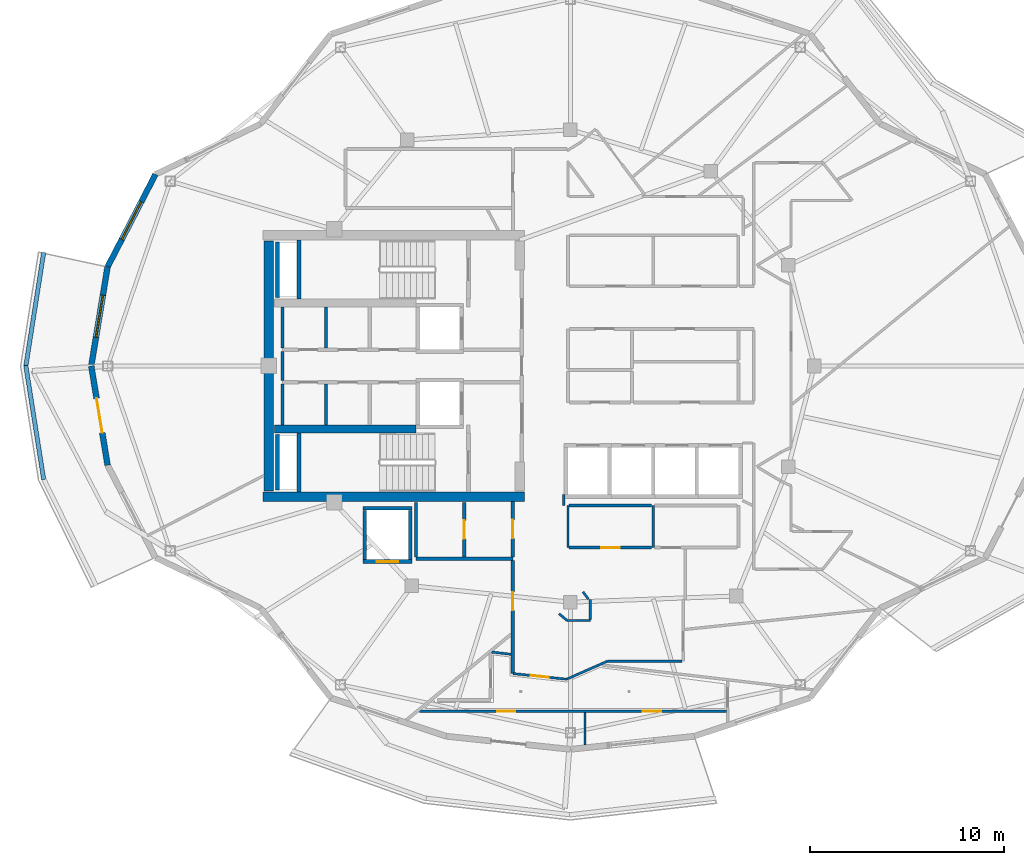
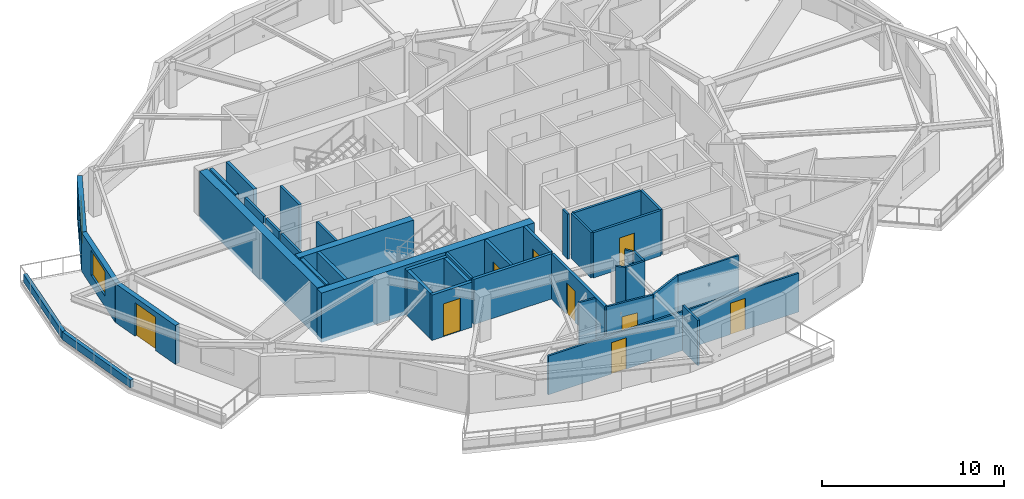
# One storey, part 3 of 14: 41 walls, 9 doors, 2 windows, 11 openings.
"""IFC4 building model written with IfcOpenShell, lengths in metres."""

from ifc_helpers import new_model, si_unit, direction, frame, frame_2d, origin, place, context, subcontext, project, spatial, rectangle, extrude, material, layer, layer_set, type_object, element, fill, save


model = new_model("IFC4")

# Units and contexts
model_context = context("Model", 3, precision=1e-05, world=origin(), true_north=direction((0.0, 1.0)))
body_context = subcontext(model_context, "Body", "Model", "MODEL_VIEW")
ifc_project = project(units=[si_unit("LENGTHUNIT", "METRE"), si_unit("AREAUNIT", "SQUARE_METRE"), si_unit("VOLUMEUNIT", "CUBIC_METRE"), si_unit("PLANEANGLEUNIT", "RADIAN"), si_unit("MASSUNIT", "GRAM", prefix="KILO")], contexts=[model_context])

# Site, building, storey
site_placement = place(None, origin())
site = spatial("IfcSite", under=ifc_project, at=site_placement, CompositionType="ELEMENT")
building_placement = place(site_placement, origin())
building = spatial("IfcBuilding", under=site, at=building_placement, Name="Kolvaren Gate Tower and Convention Centre", CompositionType="ELEMENT")
storey_placement = place(building_placement, frame((0.0, 0.0, 216.199951171875)))
storey = spatial("IfcBuildingStorey", under=building, at=storey_placement, Name="L57", CompositionType="ELEMENT", Elevation=216.199951171875)

# Wall
ifc_material_1 = material(Name="Autoclaved Aerated Masonry Blockwork Class 4 (4.0 MPa)", Category="masonry")
ifc_layer_1 = layer(ifc_material_1, 0.179931640625)
ifc_layer_set_1 = layer_set([ifc_layer_1], Name="Autoclaved Aerated Masonry Blockwork Class 4 (4.0 MPa)")
wall_type_1 = type_object("IfcWallType", Name="ARCH-WL-COMP-180", PredefinedType="SOLIDWALL", material=ifc_layer_set_1)
wall_1_placement = place(storey_placement, frame((22.14990234375, 17.050048828125, 0.0), z_axis=(0.0, 0.0, 1.0), x_axis=(1.0, 0.0, 0.0)))
element("IfcWall", 1, at=wall_1_placement, inside=storey, type_object=wall_type_1, Name="Interior Partition WL-L57-INT-011", PredefinedType="SOLIDWALL", context=body_context, shape_type="SweptSolid", body=[
    extrude(rectangle(XDim=5.0, YDim=0.179931640625, at=frame_2d((2.5, 0.0))), origin(), (0.0, 0.0, 1.0), 3.030029296875),
])

# Wall, opening, door
wall_2_placement = place(storey_placement, frame((24.64990234375, 17.14208984375, 0.0), z_axis=(0.0, 0.0, 1.0), x_axis=(0.0, 1.0, 0.0)))
wall_2 = element("IfcWall", 2, at=wall_2_placement, inside=storey, type_object=wall_type_1, Name="Interior Partition WL-L57-INT-013", PredefinedType="SOLIDWALL", context=body_context, shape_type="SweptSolid", body=[
    extrude(rectangle(XDim=2.807861328125, YDim=0.179931640625, at=frame_2d((1.40380859375, 0.0))), origin(), (0.0, 0.0, 1.0), 3.030029296875),
])
opening_1_placement = place(wall_2_placement, frame((0.928955078125, 0.0, 0.0)))
opening_1 = element("IfcOpeningElement", 3, at=opening_1_placement, cuts=wall_2, Name="Opening DR-01", PredefinedType="OPENING", context=body_context, shape_type="SweptSolid", body=[
    extrude(rectangle(XDim=0.949951171875, YDim=2.10009765625, at=frame_2d((0.47509765625, 1.050048828125))), frame((0.0, 0.099853515625, 0.0), z_axis=(0.0, -1.0, 0.0), x_axis=(1.0, 0.0, 0.0)), (0.0, 0.0, 1.0), 0.199951171875),
])
ifc_material_2 = material(Name="Painted Architectural Steelwork ASTM A500 Grade C 345 MPa", Category="steel")
door_type_1 = type_object("IfcDoorType", Name="ARCH-DR-RISER-950", OperationType="SINGLE_SWING_RIGHT", PredefinedType="DOOR", material=ifc_material_2)
door_1_placement = place(opening_1_placement, origin())
door_1 = element("IfcDoor", 4, at=door_1_placement, inside=storey, type_object=door_type_1, Name="West Valet Store Door", OperationType="SINGLE_SWING_RIGHT", OverallHeight=2.10009765625, OverallWidth=0.949951171875, PredefinedType="DOOR", context=body_context, shape_type="SweptSolid", body=[
    extrude(rectangle(XDim=0.949951171875, YDim=2.10009765625, at=frame_2d((0.47509765625, 1.050048828125))), frame((0.0, 0.02490234375, 0.0), z_axis=(0.0, -1.0, 0.0), x_axis=(1.0, 0.0, 0.0)), (0.0, 0.0, 1.0), 0.050048828125),
])
fill(opening_1, door_1)

wall_3_placement = place(storey_placement, frame((27.14990234375, 11.113037109375, 0.0), z_axis=(0.0, 0.0, 1.0), x_axis=(0.0, 1.0, 0.0)))
wall_3 = element("IfcWall", 5, at=wall_3_placement, inside=storey, type_object=wall_type_1, Name="Interior Partition WL-L57-INT-014", PredefinedType="SOLIDWALL", context=body_context, shape_type="SweptSolid", body=[
    extrude(rectangle(XDim=5.844970703125, YDim=0.179931640625, at=frame_2d((2.92236328125, 0.0))), origin(), (0.0, 0.0, 1.0), 3.030029296875),
])
opening_2_placement = place(wall_3_placement, frame((3.25830078125, 0.0, 0.0)))
opening_2 = element("IfcOpeningElement", 6, at=opening_2_placement, cuts=wall_3, Name="Opening DR-01", PredefinedType="OPENING", context=body_context, shape_type="SweptSolid", body=[
    extrude(rectangle(XDim=0.949951171875, YDim=2.10009765625, at=frame_2d((0.47509765625, 1.050048828125))), frame((0.0, 0.099853515625, 0.0), z_axis=(0.0, -1.0, 0.0), x_axis=(1.0, 0.0, 0.0)), (0.0, 0.0, 1.0), 0.199951171875),
])
door_2_placement = place(opening_2_placement, origin())
door_2 = element("IfcDoor", 7, at=door_2_placement, inside=storey, type_object=door_type_1, Name="Resident Private Study and Home Office Door", OperationType="SINGLE_SWING_LEFT", OverallHeight=2.10009765625, OverallWidth=0.949951171875, PredefinedType="DOOR", context=body_context, shape_type="SweptSolid", body=[
    extrude(rectangle(XDim=0.949951171875, YDim=2.10009765625, at=frame_2d((0.47509765625, 1.050048828125))), frame((0.0, 0.02490234375, 0.0), z_axis=(0.0, -1.0, 0.0), x_axis=(1.0, 0.0, 0.0)), (0.0, 0.0, 1.0), 0.050048828125),
])
fill(opening_2, door_2)

wall_4_placement = place(storey_placement, frame((27.14990234375, 17.14208984375, 0.0), z_axis=(0.0, 0.0, 1.0), x_axis=(0.0, 1.0, 0.0)))
wall_4 = element("IfcWall", 8, at=wall_4_placement, inside=storey, type_object=wall_type_1, Name="Interior Partition WL-L57-INT-014 (2)", PredefinedType="SOLIDWALL", context=body_context, shape_type="SweptSolid", body=[
    extrude(rectangle(XDim=2.85595703125, YDim=0.179931640625, at=frame_2d((1.427978515625, 0.0))), origin(), (0.0, 0.0, 1.0), 3.030029296875),
])
opening_3_placement = place(wall_4_placement, frame((0.952880859375, 0.0, 0.0)))
opening_3 = element("IfcOpeningElement", 9, at=opening_3_placement, cuts=wall_4, Name="Opening DR-01", PredefinedType="OPENING", context=body_context, shape_type="SweptSolid", body=[
    extrude(rectangle(XDim=0.949951171875, YDim=2.10009765625, at=frame_2d((0.47509765625, 1.050048828125))), frame((0.0, 0.099853515625, 0.0), z_axis=(0.0, -1.0, 0.0), x_axis=(1.0, 0.0, 0.0)), (0.0, 0.0, 1.0), 0.199951171875),
])
door_3_placement = place(opening_3_placement, origin())
door_3 = element("IfcDoor", 10, at=door_3_placement, inside=storey, type_object=door_type_1, Name="Metering Switch Room Door", OperationType="SINGLE_SWING_LEFT", OverallHeight=2.10009765625, OverallWidth=0.949951171875, PredefinedType="DOOR", context=body_context, shape_type="SweptSolid", body=[
    extrude(rectangle(XDim=0.949951171875, YDim=2.10009765625, at=frame_2d((0.47509765625, 1.050048828125))), frame((0.0, 0.02490234375, 0.0), z_axis=(0.0, -1.0, 0.0), x_axis=(1.0, 0.0, 0.0)), (0.0, 0.0, 1.0), 0.050048828125),
])
fill(opening_3, door_3)

# Walls
ifc_material_3 = material(Name="Fire-Rated Acoustic Gypsum Stud Partition", Category="gypsum")
ifc_layer_2 = layer(ifc_material_3, 0.1201171875)
ifc_layer_set_2 = layer_set([ifc_layer_2], Name="Fire-Rated Acoustic Gypsum Stud Partition")
wall_type_2 = type_object("IfcWallType", Name="ARCH-WL-PART-120", PredefinedType="PARTITIONING", material=ifc_layer_set_2)
wall_5_placement = place(storey_placement, frame((30.0, 17.6201171875, 0.0), z_axis=(0.0, 0.0, 1.0), x_axis=(0.0, 1.0, 0.0)))
element("IfcWall", 11, at=wall_5_placement, inside=storey, type_object=wall_type_2, Name="Interior Partition WL-L57-INT-017", PredefinedType="PARTITIONING", context=body_context, shape_type="SweptSolid", body=[
    extrude(rectangle(XDim=2.179931640625, YDim=0.1201171875, at=frame_2d((1.08984375, 0.0))), origin(), (0.0, 0.0, 1.0), 3.030029296875),
])
wall_6_placement = place(storey_placement, frame((29.780029296875, 19.800048828125, 0.0), z_axis=(0.0, 0.0, 1.0), x_axis=(0.0, 1.0, 0.0)))
element("IfcWall", 12, at=wall_6_placement, inside=storey, type_object=wall_type_2, Name="Interior Partition WL-L57-INT-064", PredefinedType="PARTITIONING", context=body_context, shape_type="SweptSolid", body=[
    extrude(rectangle(XDim=0.56005859375, YDim=0.1201171875, at=frame_2d((0.280029296875, 0.0))), origin(), (0.0, 0.0, 1.0), 3.030029296875),
])
wall_7_placement = place(storey_placement, frame((32.033935546875, 11.75, 0.0), z_axis=(0.0, 0.0, 1.0), x_axis=(1.0, 0.0, 0.0)))
element("IfcWall", 13, at=wall_7_placement, inside=storey, type_object=wall_type_2, Name="Interior Partition WL-L57-INT-067", PredefinedType="PARTITIONING", context=body_context, shape_type="SweptSolid", body=[
    extrude(rectangle(XDim=3.85400390625, YDim=0.1201171875, at=frame_2d((1.927001953125, 0.0))), origin(), (0.0, 0.0, 1.0), 3.030029296875),
])
wall_8_placement = place(storey_placement, frame((29.925048828125, 10.821044921875, 0.0), z_axis=(0.0, 0.0, 1.0), x_axis=(0.915147800009, 0.403118474072, 0.0)))
element("IfcWall", 14, at=wall_8_placement, inside=storey, type_object=wall_type_2, Name="Interior Partition WL-L57-INT-068", PredefinedType="PARTITIONING", context=body_context, shape_type="SweptSolid", body=[
    extrude(rectangle(XDim=2.304443359375, YDim=0.1201171875, at=frame_2d((1.15234375, 0.0))), origin(), (0.0, 0.0, 1.0), 3.030029296875),
])

# Wall, opening, door
wall_9_placement = place(storey_placement, frame((27.14990234375, 11.113037109375, 0.0), z_axis=(0.0, 0.0, 1.0), x_axis=(0.994510245906, -0.104639241146, 0.0)))
wall_9 = element("IfcWall", 15, at=wall_9_placement, inside=storey, type_object=wall_type_2, Name="Interior Partition WL-L57-INT-069", PredefinedType="PARTITIONING", context=body_context, shape_type="SweptSolid", body=[
    extrude(rectangle(XDim=2.79052734375, YDim=0.1201171875, at=frame_2d((1.395263671875, 0.0))), origin(), (0.0, 0.0, 1.0), 3.030029296875),
])
opening_4_placement = place(wall_9_placement, frame((0.920166015625, 0.0, 0.0)))
opening_4 = element("IfcOpeningElement", 16, at=opening_4_placement, cuts=wall_9, Name="Opening DR-01", PredefinedType="OPENING", context=body_context, shape_type="SweptSolid", body=[
    extrude(rectangle(XDim=0.949951171875, YDim=2.10009765625, at=frame_2d((0.47509765625, 1.050048828125))), frame((0.0, 0.070068359375, 0.0), z_axis=(0.0, -1.0, 0.0), x_axis=(1.0, 0.0, 0.0)), (0.0, 0.0, 1.0), 0.14013671875),
])
door_4_placement = place(opening_4_placement, origin())
door_4 = element("IfcDoor", 17, at=door_4_placement, inside=storey, type_object=door_type_1, Name="Family Apartment Living and Dining Room (APT-L57-01) Door", OperationType="SINGLE_SWING_RIGHT", OverallHeight=2.10009765625, OverallWidth=0.949951171875, PredefinedType="DOOR", context=body_context, shape_type="SweptSolid", body=[
    extrude(rectangle(XDim=0.949951171875, YDim=2.10009765625, at=frame_2d((0.47509765625, 1.050048828125))), frame((0.0, 0.02490234375, 0.0), z_axis=(0.0, -1.0, 0.0), x_axis=(1.0, 0.0, 0.0)), (0.0, 0.0, 1.0), 0.050048828125),
])
fill(opening_4, door_4)

# Walls
wall_10_placement = place(storey_placement, frame((29.9599609375, 13.85009765625, 0.0), z_axis=(0.0, 0.0, 1.0), x_axis=(1.0, 0.0, 0.0)))
element("IfcWall", 18, at=wall_10_placement, inside=storey, type_object=wall_type_2, Name="Interior Partition WL-L57-INT-071", PredefinedType="PARTITIONING", context=body_context, shape_type="SweptSolid", body=[
    extrude(rectangle(XDim=1.18994140625, YDim=0.1201171875, at=frame_2d((0.594970703125, 0.0))), origin(), (0.0, 0.0, 1.0), 3.030029296875),
])
wall_11_placement = place(storey_placement, frame((31.14990234375, 13.912109375, 0.0), z_axis=(0.0, 0.0, 1.0), x_axis=(0.0, 1.0, 0.0)))
element("IfcWall", 19, at=wall_11_placement, inside=storey, type_object=wall_type_2, Name="Interior Partition WL-L57-INT-072", PredefinedType="PARTITIONING", context=body_context, shape_type="SweptSolid", body=[
    extrude(rectangle(XDim=1.037841796875, YDim=0.1201171875, at=frame_2d((0.51904296875, 0.0))), origin(), (0.0, 0.0, 1.0), 3.030029296875),
])
wall_12_placement = place(storey_placement, frame((30.77392578125, 15.3330078125, 0.0), z_axis=(0.0, 0.0, 1.0), x_axis=(0.595814974861, -0.803121731577, 0.0)))
element("IfcWall", 20, at=wall_12_placement, inside=storey, type_object=wall_type_2, Name="Interior Partition WL-L57-INT-073", PredefinedType="PARTITIONING", context=body_context, shape_type="SweptSolid", body=[
    extrude(rectangle(XDim=0.47705078125, YDim=0.1201171875, at=frame_2d((0.238525390625, 0.0))), origin(), (0.0, 0.0, 1.0), 3.030029296875),
])
wall_13_placement = place(storey_placement, frame((29.531005859375, 14.2060546875, 0.0), z_axis=(0.0, 0.0, 1.0), x_axis=(0.7695479554, -0.638589026166, 0.0)))
element("IfcWall", 21, at=wall_13_placement, inside=storey, type_object=wall_type_2, Name="Interior Partition WL-L57-INT-074", PredefinedType="PARTITIONING", context=body_context, shape_type="SweptSolid", body=[
    extrude(rectangle(XDim=0.557373046875, YDim=0.1201171875, at=frame_2d((0.27880859375, 0.0))), origin(), (0.0, 0.0, 1.0), 3.030029296875),
])
wall_14_placement = place(storey_placement, frame((26.06103515625, 12.223876953125, 0.0), z_axis=(0.0, 0.0, 1.0), x_axis=(0.993163877586, -0.11672836955, 0.0)))
element("IfcWall", 22, at=wall_14_placement, inside=storey, type_object=wall_type_2, Name="Interior Partition WL-L57-INT-082", PredefinedType="PARTITIONING", context=body_context, shape_type="SweptSolid", body=[
    extrude(rectangle(XDim=1.00390625, YDim=0.1201171875, at=frame_2d((0.501953125, 0.0))), origin(), (0.0, 0.0, 1.0), 3.030029296875),
])

# Wall, openings, doors
wall_15_placement = place(storey_placement, frame((22.32421875, 9.1640625, 0.0), z_axis=(0.0, 0.0, 1.0), x_axis=(1.0, 0.0, 0.0)))
wall_15 = element("IfcWall", 23, at=wall_15_placement, inside=storey, type_object=wall_type_2, Name="Interior Partition WL-L57-INT-085", PredefinedType="PARTITIONING", context=body_context, shape_type="SweptSolid", body=[
    extrude(rectangle(XDim=15.86376953125, YDim=0.1201171875, at=frame_2d((7.931884765625, 0.0))), origin(), (0.0, 0.0, 1.0), 2.60498046875),
])
opening_5_placement = place(wall_15_placement, frame((11.529296875, 0.0, 0.0)))
opening_5 = element("IfcOpeningElement", 24, at=opening_5_placement, cuts=wall_15, Name="Opening DI-01", PredefinedType="OPENING", context=body_context, shape_type="SweptSolid", body=[
    extrude(rectangle(XDim=0.949951171875, YDim=2.10009765625, at=frame_2d((0.47509765625, 1.050048828125))), frame((0.0, 0.070068359375, 0.0), z_axis=(0.0, -1.0, 0.0), x_axis=(1.0, 0.0, 0.0)), (0.0, 0.0, 1.0), 0.14013671875),
])
opening_6_placement = place(wall_15_placement, frame((4.00732421875, 0.0, 0.0)))
opening_6 = element("IfcOpeningElement", 25, at=opening_6_placement, cuts=wall_15, Name="Opening DI-01", PredefinedType="OPENING", context=body_context, shape_type="SweptSolid", body=[
    extrude(rectangle(XDim=0.949951171875, YDim=2.10009765625, at=frame_2d((0.47509765625, 1.050048828125))), frame((0.0, 0.070068359375, 0.0), z_axis=(0.0, -1.0, 0.0), x_axis=(1.0, 0.0, 0.0)), (0.0, 0.0, 1.0), 0.14013671875),
])
ifc_material_4 = material(Name="FSC Andean Oak Engineered Veneer Door Leaf", Category="wood")
door_type_2 = type_object("IfcDoorType", Name="ARCH-DR-INT-950", OperationType="SINGLE_SWING_LEFT", PredefinedType="DOOR", material=ifc_material_4)
door_5_placement = place(opening_5_placement, origin())
door_5 = element("IfcDoor", 26, at=door_5_placement, inside=storey, type_object=door_type_2, Name="Principal Bedroom (APT-L57-01) Door", OperationType="SINGLE_SWING_RIGHT", OverallHeight=2.10009765625, OverallWidth=0.949951171875, PredefinedType="DOOR", context=body_context, shape_type="SweptSolid", body=[
    extrude(rectangle(XDim=0.949951171875, YDim=2.10009765625, at=frame_2d((0.47509765625, 1.050048828125))), frame((0.0, 0.02490234375, 0.0), z_axis=(0.0, -1.0, 0.0), x_axis=(1.0, 0.0, 0.0)), (0.0, 0.0, 1.0), 0.050048828125),
])
fill(opening_5, door_5)
door_6_placement = place(opening_6_placement, origin())
door_6 = element("IfcDoor", 27, at=door_6_placement, inside=storey, type_object=door_type_2, Name="Second Bedroom (APT-L57-01) Door", OperationType="SINGLE_SWING_LEFT", OverallHeight=2.10009765625, OverallWidth=0.949951171875, PredefinedType="DOOR", context=body_context, shape_type="SweptSolid", body=[
    extrude(rectangle(XDim=0.949951171875, YDim=2.10009765625, at=frame_2d((0.47509765625, 1.050048828125))), frame((0.0, 0.02490234375, 0.0), z_axis=(0.0, -1.0, 0.0), x_axis=(1.0, 0.0, 0.0)), (0.0, 0.0, 1.0), 0.050048828125),
])
fill(opening_6, door_6)

# Walls
wall_16_placement = place(storey_placement, frame((30.87890625, 7.432373046875, 0.0), z_axis=(0.0, 0.0, 1.0), x_axis=(0.0, 1.0, 0.0)))
element("IfcWall", 28, at=wall_16_placement, inside=storey, type_object=wall_type_2, Name="Interior Partition WL-L57-INT-087", PredefinedType="PARTITIONING", context=body_context, shape_type="SweptSolid", body=[
    extrude(rectangle(XDim=1.669677734375, YDim=0.1201171875, at=frame_2d((0.8349609375, 0.0))), origin(), (0.0, 0.0, 1.0), 3.030029296875),
])
ifc_material_5 = material(Name="Piedmont Cream Honed Limestone Cladding", Category="masonry")
ifc_layer_3 = layer(ifc_material_5, 0.219970703125)
ifc_layer_set_3 = layer_set([ifc_layer_3], Name="Piedmont Cream Honed Limestone Cladding")
wall_type_3 = type_object("IfcWallType", Name="ARCH-WL-PLANTER-220", PredefinedType="PARAPET", material=ifc_layer_set_3)
for number, where, z_axis, x_axis, name in (
    (29, (1.993408203125, 26.970703125, 0.0), (0.0, 0.0, 1.0), (0.1550711793, 0.987903299595, 0.0), "Vertical-Forest Balcony Stone Planter Kerb PK-L57-2.1"),
    (30, (1.993408203125, 27.029296875, 0.0), (0.0, 0.0, 1.0), (0.1550711793, -0.987903299595, 0.0), "Vertical-Forest Balcony Stone Planter Kerb PK-L57-2.2"),
):
    element("IfcWall", number, at=place(storey_placement, frame(where, z_axis=z_axis, x_axis=x_axis)), inside=storey, type_object=wall_type_3, Name=name, PredefinedType="PARAPET", context=body_context, shape_type="SweptSolid", body=[
        extrude(rectangle(XDim=5.963623046875, YDim=0.219970703125, at=frame_2d((2.98193359375, 0.0))), origin(), (0.0, 0.0, 1.0), 0.52001953125),
    ])
ifc_layer_4 = layer(ifc_material_1, 0.199951171875)
ifc_layer_set_4 = layer_set([ifc_layer_4], Name="Autoclaved Aerated Masonry Blockwork Class 4 (4.0 MPa)")
wall_type_4 = type_object("IfcWallType", Name="ARCH-WL-SHAFT-200", PredefinedType="SOLIDWALL", material=ifc_layer_set_4)
wall_17_placement = place(storey_placement, frame((19.39990234375, 19.64990234375, 0.0), z_axis=(0.0, 0.0, 1.0), x_axis=(1.0, 0.0, 0.0)))
element("IfcWall", 31, at=wall_17_placement, inside=storey, type_object=wall_type_4, Name="Elevator SV-01 L57 Fire Shaft Wall N", PredefinedType="SOLIDWALL", context=body_context, shape_type="SweptSolid", body=[
    extrude(rectangle(XDim=2.550048828125, YDim=0.199951171875, at=frame_2d((1.27490234375, 0.0))), origin(), (0.0, 0.0, 1.0), 3.030029296875),
])

# Wall, opening, door
wall_18_placement = place(storey_placement, frame((19.39990234375, 16.89990234375, 0.0), z_axis=(0.0, 0.0, 1.0), x_axis=(1.0, 0.0, 0.0)))
wall_18 = element("IfcWall", 32, at=wall_18_placement, inside=storey, type_object=wall_type_4, Name="Elevator SV-01 L57 Fire Shaft Wall S", PredefinedType="SOLIDWALL", context=body_context, shape_type="SweptSolid", body=[
    extrude(rectangle(XDim=2.550048828125, YDim=0.199951171875, at=frame_2d((1.27490234375, 0.0))), origin(), (0.0, 0.0, 1.0), 3.030029296875),
])
opening_7_placement = place(wall_18_placement, frame((0.72509765625, 0.0, 0.0)))
opening_7 = element("IfcOpeningElement", 33, at=opening_7_placement, cuts=wall_18, Name="Opening LD", PredefinedType="OPENING", context=body_context, shape_type="SweptSolid", body=[
    extrude(rectangle(XDim=1.10009765625, YDim=2.199951171875, at=frame_2d((0.550048828125, 1.10009765625))), frame((0.0, 0.10986328125, 0.0), z_axis=(0.0, -1.0, 0.0), x_axis=(1.0, 0.0, 0.0)), (0.0, 0.0, 1.0), 0.219970703125),
])
ifc_material_6 = material(Name="Brushed Stainless Steel Grade 316L", Category="steel")
door_type_3 = type_object("IfcDoorType", Name="ARCH-DR-LIFT-1100", OperationType="SLIDING_TO_LEFT", PredefinedType="DOOR", material=ifc_material_6)
door_7_placement = place(opening_7_placement, origin())
door_7 = element("IfcDoor", 34, at=door_7_placement, inside=storey, type_object=door_type_3, Name="Elevator SV-01 L57 Sliding Landing Door", OperationType="SLIDING_TO_LEFT", OverallHeight=2.199951171875, OverallWidth=1.10009765625, PredefinedType="DOOR", context=body_context, shape_type="SweptSolid", body=[
    extrude(rectangle(XDim=1.10009765625, YDim=2.199951171875, at=frame_2d((0.550048828125, 1.10009765625))), frame((0.0, 0.02490234375, 0.0), z_axis=(0.0, -1.0, 0.0), x_axis=(1.0, 0.0, 0.0)), (0.0, 0.0, 1.0), 0.050048828125),
])
fill(opening_7, door_7)

# Walls
for number, where, z_axis, x_axis, name in (
    (35, (19.5, 17.010009765625, 0.0), (0.0, 0.0, 1.0), (0.0, 1.0, 0.0), "Elevator SV-01 L57 Fire Shaft Wall W"),
    (36, (21.85009765625, 17.010009765625, 0.0), (0.0, 0.0, 1.0), (0.0, 1.0, 0.0), "Elevator SV-01 L57 Fire Shaft Wall E"),
):
    element("IfcWall", number, at=place(storey_placement, frame(where, z_axis=z_axis, x_axis=x_axis)), inside=storey, type_object=wall_type_4, Name=name, PredefinedType="SOLIDWALL", context=body_context, shape_type="SweptSolid", body=[
        extrude(rectangle(XDim=2.530029296875, YDim=0.199951171875, at=frame_2d((1.26513671875, 0.0))), origin(), (0.0, 0.0, 1.0), 3.030029296875),
    ])
for number, where, z_axis, x_axis, name in (
    (37, (14.989990234375, 30.550048828125, 0.0), (0.0, 0.0, 1.0), (0.0, 1.0, 0.0), "Vertical Shaft HVR L57 EI-120 Enclosure Wall W"),
    (38, (14.989990234375, 20.60009765625, 0.0), (0.0, 0.0, 1.0), (0.0, 1.0, 0.0), "Vertical Shaft MPR L57 EI-120 Enclosure Wall W"),
):
    element("IfcWall", number, at=place(storey_placement, frame(where, z_axis=z_axis, x_axis=x_axis)), inside=storey, type_object=wall_type_4, Name=name, PredefinedType="SOLIDWALL", context=body_context, shape_type="SweptSolid", body=[
        extrude(rectangle(XDim=2.849853515625, YDim=0.199951171875, at=frame_2d((1.4248046875, 0.0))), origin(), (0.0, 0.0, 1.0), 3.030029296875),
    ])

# Wall, opening, window
ifc_layer_5 = layer(ifc_material_5, 0.300048828125)
ifc_layer_set_5 = layer_set([ifc_layer_5], Name="Piedmont Cream Honed Limestone Cladding")
wall_type_5 = type_object("IfcWallType", Name="ARCH-WL-STONE-300", PredefinedType="SOLIDWALL", material=ifc_layer_set_5)
wall_19_placement = place(storey_placement, frame((6.21826171875, 32.12451171875, 0.0), z_axis=(0.0, 0.0, 1.0), x_axis=(0.459808219482, 0.888018243786, 0.0)))
wall_19 = element("IfcWall", 39, at=wall_19_placement, inside=storey, type_object=wall_type_5, Name="Tower L57 Honed Stone Spandrel Wall EW-10", PredefinedType="SOLIDWALL", context=body_context, shape_type="SweptSolid", body=[
    extrude(rectangle(XDim=5.377685546875, YDim=0.300048828125, at=frame_2d((2.68896484375, 0.0))), origin(), (0.0, 0.0, 1.0), 2.60498046875),
])
opening_8_placement = place(wall_19_placement, frame((1.589111328125, 0.0, 0.719970703125)))
opening_8 = element("IfcOpeningElement", 40, at=opening_8_placement, cuts=wall_19, Name="Opening W-03", PredefinedType="OPENING", context=body_context, shape_type="SweptSolid", body=[
    extrude(rectangle(XDim=2.199951171875, YDim=1.64990234375, at=frame_2d((1.10009765625, 0.824951171875))), frame((0.0, 0.159912109375, 0.0), z_axis=(0.0, -1.0, 0.0), x_axis=(1.0, 0.0, 0.0)), (0.0, 0.0, 1.0), 0.320068359375),
])
ifc_material_7 = material(Name="Low-E Triple Insulated Glazing Unit 44 mm", Category="glass")
window_type = type_object("IfcWindowType", Name="ARCH-WN-RES-2200", PartitioningType="SINGLE_PANEL", PredefinedType="WINDOW", material=ifc_material_7)
window_1_placement = place(opening_8_placement, origin())
window_1 = element("IfcWindow", 41, at=window_1_placement, inside=storey, type_object=window_type, Name="Tower L57 Punched Stone Facade Window W-10", OverallHeight=1.64990234375, OverallWidth=2.199951171875, PartitioningType="SINGLE_PANEL", PredefinedType="WINDOW", context=body_context, shape_type="SweptSolid", body=[
    extrude(rectangle(XDim=2.199951171875, YDim=1.64990234375, at=frame_2d((1.10009765625, 0.824951171875))), frame((0.0, 0.030029296875, 0.0), z_axis=(0.0, -1.0, 0.0), x_axis=(1.0, 0.0, 0.0)), (0.0, 0.0, 1.0), 0.06005859375),
])
fill(opening_8, window_1)

wall_20_placement = place(storey_placement, frame((5.375, 27.0, 0.0), z_axis=(0.0, 0.0, 1.0), x_axis=(0.16237087798, 0.986729799886, 0.0)))
wall_20 = element("IfcWall", 42, at=wall_20_placement, inside=storey, type_object=wall_type_5, Name="Tower L57 Honed Stone Spandrel Wall EW-11", PredefinedType="SOLIDWALL", context=body_context, shape_type="SweptSolid", body=[
    extrude(rectangle(XDim=5.193359375, YDim=0.300048828125, at=frame_2d((2.5966796875, 0.0))), origin(), (0.0, 0.0, 1.0), 2.60498046875),
])
opening_9_placement = place(wall_20_placement, frame((1.4970703125, 0.0, 0.719970703125)))
opening_9 = element("IfcOpeningElement", 43, at=opening_9_placement, cuts=wall_20, Name="Opening W-03", PredefinedType="OPENING", context=body_context, shape_type="SweptSolid", body=[
    extrude(rectangle(XDim=2.199951171875, YDim=1.64990234375, at=frame_2d((1.10009765625, 0.824951171875))), frame((0.0, 0.159912109375, 0.0), z_axis=(0.0, -1.0, 0.0), x_axis=(1.0, 0.0, 0.0)), (0.0, 0.0, 1.0), 0.320068359375),
])
window_2_placement = place(opening_9_placement, origin())
window_2 = element("IfcWindow", 44, at=window_2_placement, inside=storey, type_object=window_type, Name="Tower L57 Punched Stone Facade Window W-11", OverallHeight=1.64990234375, OverallWidth=2.199951171875, PartitioningType="SINGLE_PANEL", PredefinedType="WINDOW", context=body_context, shape_type="SweptSolid", body=[
    extrude(rectangle(XDim=2.199951171875, YDim=1.64990234375, at=frame_2d((1.10009765625, 0.824951171875))), frame((0.0, 0.030029296875, 0.0), z_axis=(0.0, -1.0, 0.0), x_axis=(1.0, 0.0, 0.0)), (0.0, 0.0, 1.0), 0.06005859375),
])
fill(opening_9, window_2)

# Wall, opening, door
wall_21_placement = place(storey_placement, frame((5.375, 27.0, 0.0), z_axis=(0.0, 0.0, 1.0), x_axis=(0.16237087798, -0.986729799886, 0.0)))
wall_21 = element("IfcWall", 45, at=wall_21_placement, inside=storey, type_object=wall_type_5, Name="Tower L57 Honed Stone Spandrel Wall EW-12", PredefinedType="SOLIDWALL", context=body_context, shape_type="SweptSolid", body=[
    extrude(rectangle(XDim=5.193359375, YDim=0.300048828125, at=frame_2d((2.5966796875, 0.0))), origin(), (0.0, 0.0, 1.0), 2.60498046875),
])
opening_10_placement = place(wall_21_placement, frame((1.697021484375, 0.0, 0.0)))
opening_10 = element("IfcOpeningElement", 46, at=opening_10_placement, cuts=wall_21, Name="Opening DB-01", PredefinedType="OPENING", context=body_context, shape_type="SweptSolid", body=[
    extrude(rectangle(XDim=1.800048828125, YDim=2.25, at=frame_2d((0.89990234375, 1.125))), frame((0.0, 0.159912109375, 0.0), z_axis=(0.0, -1.0, 0.0), x_axis=(1.0, 0.0, 0.0)), (0.0, 0.0, 1.0), 0.320068359375),
])
ifc_material_8 = material(Name="Anodized Architectural Aluminium Alloy 6063-T6", Category="aluminium")
door_type_4 = type_object("IfcDoorType", Name="ARCH-DR-BALC-1800", OperationType="SLIDING_TO_LEFT", PredefinedType="DOOR", material=ifc_material_8)
door_8_placement = place(opening_10_placement, frame((1.800048828125, 0.0, 0.0), z_axis=(0.0, 0.0, 1.0), x_axis=(-1.0, 0.0, 0.0)))
door_8 = element("IfcDoor", 47, at=door_8_placement, inside=storey, type_object=door_type_4, Name="Planted Sky Terrace Access Door DB-L57-12", OperationType="SLIDING_TO_LEFT", OverallHeight=2.25, OverallWidth=1.800048828125, PredefinedType="DOOR", context=body_context, shape_type="SweptSolid", body=[
    extrude(rectangle(XDim=1.800048828125, YDim=2.25, at=frame_2d((0.89990234375, 1.125))), frame((0.0, 0.02490234375, 0.0), z_axis=(0.0, -1.0, 0.0), x_axis=(1.0, 0.0, 0.0)), (0.0, 0.0, 1.0), 0.050048828125),
])
fill(opening_10, door_8)

# Walls
ifc_material_9 = material(Name="Moisture-Resistant Cement-Board Acoustic Partition", Category="gypsum")
ifc_layer_6 = layer(ifc_material_9, 0.14990234375)
ifc_layer_set_6 = layer_set([ifc_layer_6], Name="Moisture-Resistant Cement-Board Acoustic Partition")
wall_type_6 = type_object("IfcWallType", Name="ARCH-WL-WET-150", PredefinedType="PARTITIONING", material=ifc_layer_set_6)
wall_22_placement = place(storey_placement, frame((15.25, 23.9619140625, 0.0), z_axis=(0.0, 0.0, 1.0), x_axis=(0.0, 1.0, 0.0)))
element("IfcWall", 48, at=wall_22_placement, inside=storey, type_object=wall_type_6, Name="Interior Partition WL-L57-INT-006", PredefinedType="PARTITIONING", context=body_context, shape_type="SweptSolid", body=[
    extrude(rectangle(XDim=2.106201171875, YDim=0.14990234375, at=frame_2d((1.05322265625, 0.0))), origin(), (0.0, 0.0, 1.0), 3.030029296875),
])
wall_23_placement = place(storey_placement, frame((15.25, 26.251953125, 0.0), z_axis=(0.0, 0.0, 1.0), x_axis=(0.0, 1.0, 0.0)))
element("IfcWall", 49, at=wall_23_placement, inside=storey, type_object=wall_type_6, Name="Interior Partition WL-L57-INT-006 (2)", PredefinedType="PARTITIONING", context=body_context, shape_type="SweptSolid", body=[
    extrude(rectangle(XDim=1.49609375, YDim=0.14990234375, at=frame_2d((0.748046875, 0.0))), origin(), (0.0, 0.0, 1.0), 3.030029296875),
])
for number, where, z_axis, x_axis, name in (
    (50, (15.25, 27.931884765625, 0.0), (0.0, 0.0, 1.0), (0.0, 1.0, 0.0), "Interior Partition WL-L57-INT-006 (3)"),
    (51, (17.5, 23.9619140625, 0.0), (0.0, 0.0, 1.0), (0.0, 1.0, 0.0), "Interior Partition WL-L57-INT-009"),
    (52, (17.5, 27.931884765625, 0.0), (0.0, 0.0, 1.0), (0.0, 1.0, 0.0), "Interior Partition WL-L57-INT-010"),
):
    element("IfcWall", number, at=place(storey_placement, frame(where, z_axis=z_axis, x_axis=x_axis)), inside=storey, type_object=wall_type_6, Name=name, PredefinedType="PARTITIONING", context=body_context, shape_type="SweptSolid", body=[
        extrude(rectangle(XDim=2.106201171875, YDim=0.14990234375, at=frame_2d((1.05322265625, 0.0))), origin(), (0.0, 0.0, 1.0), 3.030029296875),
    ])
wall_24_placement = place(storey_placement, frame((22.14990234375, 17.14208984375, 0.0), z_axis=(0.0, 0.0, 1.0), x_axis=(0.0, 1.0, 0.0)))
element("IfcWall", 53, at=wall_24_placement, inside=storey, type_object=wall_type_6, Name="Interior Partition WL-L57-INT-012", PredefinedType="PARTITIONING", context=body_context, shape_type="SweptSolid", body=[
    extrude(rectangle(XDim=2.807861328125, YDim=0.14990234375, at=frame_2d((1.40380859375, 0.0))), origin(), (0.0, 0.0, 1.0), 3.030029296875),
])
wall_25_placement = place(storey_placement, frame((34.39990234375, 17.6201171875, 0.0), z_axis=(0.0, 0.0, 1.0), x_axis=(0.0, 1.0, 0.0)))
element("IfcWall", 54, at=wall_25_placement, inside=storey, type_object=wall_type_6, Name="Interior Partition WL-L57-INT-030", PredefinedType="PARTITIONING", context=body_context, shape_type="SweptSolid", body=[
    extrude(rectangle(XDim=2.179931640625, YDim=0.14990234375, at=frame_2d((1.08984375, 0.0))), origin(), (0.0, 0.0, 1.0), 3.030029296875),
])

# Wall, opening, door
wall_26_placement = place(storey_placement, frame((30.06201171875, 17.6201171875, 0.0), z_axis=(0.0, 0.0, 1.0), x_axis=(1.0, 0.0, 0.0)))
wall_26 = element("IfcWall", 55, at=wall_26_placement, inside=storey, type_object=wall_type_6, Name="Interior Partition WL-L57-INT-032", PredefinedType="PARTITIONING", context=body_context, shape_type="SweptSolid", body=[
    extrude(rectangle(XDim=4.260986328125, YDim=0.14990234375, at=frame_2d((2.13037109375, 0.0))), origin(), (0.0, 0.0, 1.0), 3.030029296875),
])
opening_11_placement = place(wall_26_placement, frame((1.655517578125, 0.0, 0.0)))
opening_11 = element("IfcOpeningElement", 56, at=opening_11_placement, cuts=wall_26, Name="Opening DR-01", PredefinedType="OPENING", context=body_context, shape_type="SweptSolid", body=[
    extrude(rectangle(XDim=0.949951171875, YDim=2.10009765625, at=frame_2d((0.47509765625, 1.050048828125))), frame((0.0, 0.0849609375, 0.0), z_axis=(0.0, -1.0, 0.0), x_axis=(1.0, 0.0, 0.0)), (0.0, 0.0, 1.0), 0.169921875),
])
door_9_placement = place(opening_11_placement, origin())
door_9 = element("IfcDoor", 57, at=door_9_placement, inside=storey, type_object=door_type_1, Name="Resident Wine Pantry Door", OperationType="SINGLE_SWING_RIGHT", OverallHeight=2.10009765625, OverallWidth=0.949951171875, PredefinedType="DOOR", context=body_context, shape_type="SweptSolid", body=[
    extrude(rectangle(XDim=0.949951171875, YDim=2.10009765625, at=frame_2d((0.47509765625, 1.050048828125))), frame((0.0, 0.02490234375, 0.0), z_axis=(0.0, -1.0, 0.0), x_axis=(1.0, 0.0, 0.0)), (0.0, 0.0, 1.0), 0.050048828125),
])
fill(opening_11, door_9)

# Walls
wall_27_placement = place(storey_placement, frame((30.06201171875, 19.800048828125, 0.0), z_axis=(0.0, 0.0, 1.0), x_axis=(1.0, 0.0, 0.0)))
element("IfcWall", 58, at=wall_27_placement, inside=storey, type_object=wall_type_6, Name="Interior Partition WL-L57-INT-033", PredefinedType="PARTITIONING", context=body_context, shape_type="SweptSolid", body=[
    extrude(rectangle(XDim=4.260986328125, YDim=0.14990234375, at=frame_2d((2.13037109375, 0.0))), origin(), (0.0, 0.0, 1.0), 3.030029296875),
])
ifc_material_10 = material(Name="Concrete C50/60", Category="concrete")
ifc_layer_7 = layer(ifc_material_10, 0.419921875)
ifc_layer_set_7 = layer_set([ifc_layer_7], Name="Concrete C50/60")
wall_type_7 = type_object("IfcWallType", Name="STR-WL-CONV-420", PredefinedType="SHEAR", material=ifc_layer_set_7)
wall_28_placement = place(storey_placement, frame((14.85009765625, 23.75, -0.27001953125), z_axis=(0.0, 0.0, 1.0), x_axis=(1.0, 0.0, 0.0)))
element("IfcWall", 59, at=wall_28_placement, inside=storey, type_object=wall_type_7, Name="Tower L57 Offset Core Shear Wall WS", PredefinedType="SHEAR", context=body_context, shape_type="SweptSolid", body=[
    extrude(rectangle(XDim=7.2998046875, YDim=0.419921875, at=frame_2d((3.64990234375, 0.0))), origin(), (0.0, 0.0, 1.0), 3.300048828125),
])
ifc_layer_8 = layer(ifc_material_10, 0.5)
ifc_layer_set_8 = layer_set([ifc_layer_8], Name="Concrete C50/60")
wall_type_8 = type_object("IfcWallType", Name="STR-WL-CORE-500", PredefinedType="SHEAR", material=ifc_layer_set_8)
wall_29_placement = place(storey_placement, frame((14.25, 20.25, -0.27001953125), z_axis=(0.0, 0.0, 1.0), x_axis=(1.0, 0.0, 0.0)))
element("IfcWall", 60, at=wall_29_placement, inside=storey, type_object=wall_type_8, Name="Tower L57 Offset Core Shear Wall S", PredefinedType="SHEAR", context=body_context, shape_type="SweptSolid", body=[
    extrude(rectangle(XDim=13.5, YDim=0.5, at=frame_2d((6.75, 0.0))), origin(), (0.0, 0.0, 1.0), 3.300048828125),
])
wall_30_placement = place(storey_placement, frame((14.550048828125, 20.550048828125, -0.27001953125), z_axis=(0.0, 0.0, 1.0), x_axis=(0.0, 1.0, 0.0)))
element("IfcWall", 61, at=wall_30_placement, inside=storey, type_object=wall_type_8, Name="Tower L57 Offset Core Shear Wall W", PredefinedType="SHEAR", context=body_context, shape_type="SweptSolid", body=[
    extrude(rectangle(XDim=12.89990234375, YDim=0.5, at=frame_2d((6.449951171875, 0.0))), origin(), (0.0, 0.0, 1.0), 3.300048828125),
])
ifc_layer_9 = layer(ifc_material_10, 0.199951171875)
ifc_layer_set_9 = layer_set([ifc_layer_9], Name="Concrete C50/60")
wall_type_9 = type_object("IfcWallType", Name="STR-WL-SHAFT-200", PredefinedType="SHEAR", material=ifc_layer_set_9)
for number, where, z_axis, x_axis, name in (
    (62, (16.10009765625, 30.4619140625, -0.27001953125), (0.0, 0.0, 1.0), (0.0, 1.0, 0.0), "Tower North Exit Stair ST-T1 L57 Structural Shear Enclosure Wall FAR"),
    (63, (16.10009765625, 20.501953125, -0.27001953125), (0.0, 0.0, 1.0), (0.0, 1.0, 0.0), "Tower South Exit Stair ST-T2 L57 Structural Shear Enclosure Wall FAR"),
):
    element("IfcWall", number, at=place(storey_placement, frame(where, z_axis=z_axis, x_axis=x_axis)), inside=storey, type_object=wall_type_9, Name=name, PredefinedType="SHEAR", context=body_context, shape_type="SweptSolid", body=[
        extrude(rectangle(XDim=3.0361328125, YDim=0.199951171875, at=frame_2d((1.51806640625, 0.0))), origin(), (0.0, 0.0, 1.0), 3.300048828125),
    ])

save(model, "model.ifc")
